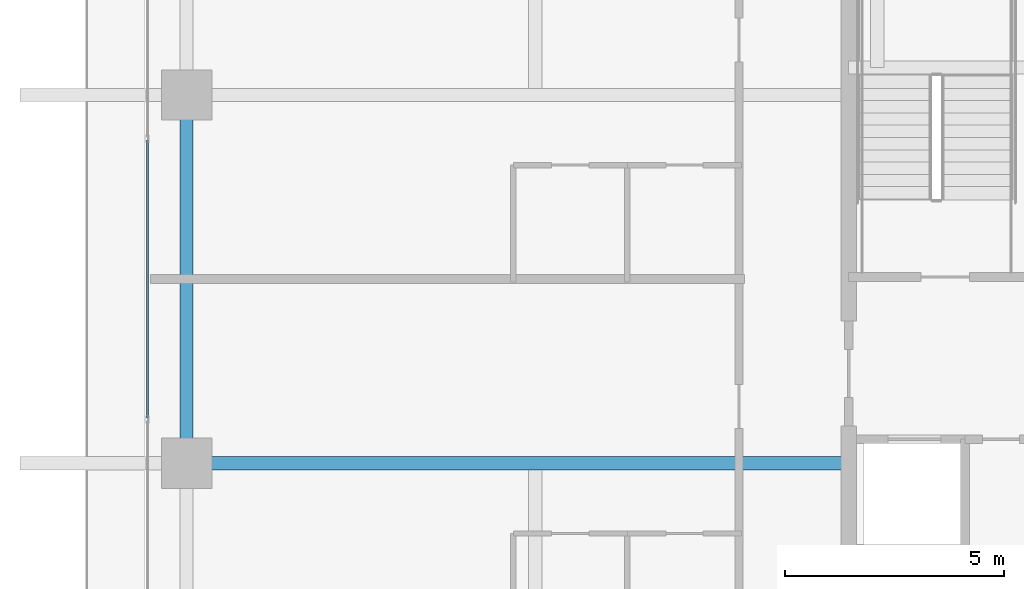
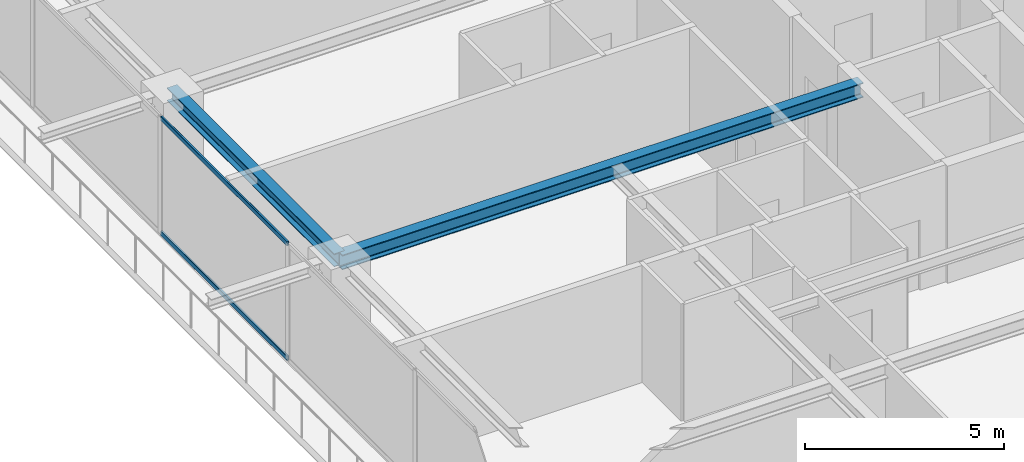
# One storey, part 8 of 38: 2 beams, 2 members, 1 element without a shape of its own.
"""IFC4 building model written with IfcOpenShell, lengths in metres."""

from ifc_helpers import new_model, si_unit, direction, frame, origin, origin_2d, place, context, subcontext, project, spatial, hollow_rectangle, i_section, extrude, source, transform, mapped, material, layer, layer_set, material_profile, profile_set, type_object, element, aggregate, save


model = new_model("IFC4")

# Units and contexts
model_context = context("Model", 3, precision=1e-05, world=origin(), true_north=direction((0.0, 1.0)))
body_context = subcontext(model_context, "Body", "Model", "MODEL_VIEW")
ifc_project = project(units=[si_unit("LENGTHUNIT", "METRE"), si_unit("AREAUNIT", "SQUARE_METRE"), si_unit("VOLUMEUNIT", "CUBIC_METRE"), si_unit("PLANEANGLEUNIT", "RADIAN"), si_unit("MASSUNIT", "GRAM", prefix="KILO")], contexts=[model_context])

# Site, building, storey
site_placement = place(None, origin())
site = spatial("IfcSite", under=ifc_project, at=site_placement, CompositionType="ELEMENT")
building_placement = place(site_placement, origin())
building = spatial("IfcBuilding", under=site, at=building_placement, Name="Serunith Strait Residences", CompositionType="ELEMENT")
storey_placement = place(building_placement, frame((0.0, 0.0, 264.35009765625)))
storey = spatial("IfcBuildingStorey", under=building, at=storey_placement, Name="L66", CompositionType="ELEMENT", Elevation=264.35009765625)

# Beams
ifc_material_1 = material(Name="Steel S355J2", Category="steel")
ifc_material_profile_1 = material_profile(ifc_material_1, i_section(OverallWidth=0.300048828125, OverallDepth=0.449951171875, WebThickness=0.013916015625, FlangeThickness=0.02587890625, FilletRadius=0.027099609375, at=origin_2d()), Name="HEB 450")
ifc_profile_set_1 = profile_set([ifc_material_profile_1], Name="Steel S355J2")
beam_type_1 = type_object("IfcBeamType", Name="BM-HEB450", PredefinedType="BEAM", material=ifc_profile_set_1)
shared_shape_1 = source(origin(), body_context, "Body", "SweptSolid", [
    extrude(i_section(OverallWidth=0.300048828125, OverallDepth=0.449951171875, WebThickness=0.013916015625, FlangeThickness=0.02587890625, FilletRadius=0.027099609375, at=origin_2d()), origin(), (0.0, 0.0, 1.0), 15.099853515625),
])
beam_1_placement = place(storey_placement, frame((23.39990234375, 21.0, 3.36181640625), z_axis=(-1.0, 0.0, 0.0), x_axis=(0.0, -1.0, 0.0)))
element("IfcBeam", 1, at=beam_1_placement, inside=storey, type_object=beam_type_1, Name="L66 Primary Floor Girder TC-W2", PredefinedType="BEAM", context=body_context, shape_type="MappedRepresentation", body=[
    mapped(shared_shape_1, transform((0.0, 0.0, 0.0), scale=1.0)),
])
ifc_material_profile_2 = material_profile(ifc_material_1, i_section(OverallWidth=0.300048828125, OverallDepth=0.39990234375, WebThickness=0.013427734375, FlangeThickness=0.02392578125, FilletRadius=0.027099609375, at=origin_2d()), Name="HEB 400")
ifc_profile_set_2 = profile_set([ifc_material_profile_2], Name="Steel S355J2")
beam_type_2 = type_object("IfcBeamType", Name="BM-HEB400", PredefinedType="BEAM", material=ifc_profile_set_2)
shared_shape_2 = source(origin(), body_context, "Body", "SweptSolid", [
    extrude(i_section(OverallWidth=0.300048828125, OverallDepth=0.39990234375, WebThickness=0.013427734375, FlangeThickness=0.02392578125, FilletRadius=0.027099609375, at=origin_2d()), origin(), (0.0, 0.0, 1.0), 8.39990234375),
])
beam_2_placement = place(storey_placement, frame((8.300048828125, 29.39990234375, 3.386962890625), z_axis=(0.0, -1.0, 0.0), x_axis=(1.0, 0.0, 0.0)))
element("IfcBeam", 2, at=beam_2_placement, inside=storey, type_object=beam_type_2, Name="L66 Perimeter Ring Beam 14", PredefinedType="BEAM", context=body_context, shape_type="MappedRepresentation", body=[
    mapped(shared_shape_2, transform((0.0, 0.0, 0.0), scale=1.0)),
])

# Curtain wall, members
ifc_material_2 = material(Name="Pale-Champagne Anodised Aluminium", Category="aluminium")
ifc_layer = layer(ifc_material_2, 0.199951171875, Name="Pale-Champagne Anodised Aluminium")
ifc_layer_set = layer_set([ifc_layer], Name="Pale-Champagne Anodised Aluminium")
curtain_wall_type = type_object("IfcCurtainWallType", Name="CW-SYS4", PredefinedType="NOTDEFINED", material=ifc_layer_set)
curtain_wall_placement = place(storey_placement, origin())
curtain_wall = element("IfcCurtainWall", 3, at=curtain_wall_placement, inside=storey, type_object=curtain_wall_type, Name="L66 W Unitised Fritted Curtain Wall", PredefinedType="NOTDEFINED")
ifc_material_profile_3 = material_profile(ifc_material_2, hollow_rectangle(XDim=0.06005859375, YDim=0.139892578125, WallThickness=0.00341796875, InnerFilletRadius=0.00537109375, OuterFilletRadius=0.0087890625, at=origin_2d()), Name="ALU 140x60x3.5")
ifc_profile_set_3 = profile_set([ifc_material_profile_3], Name="Pale-Champagne Anodised Aluminium")
member_type = type_object("IfcMemberType", Name="CW-SYS4-TRAN", PredefinedType="USERDEFINED", material=ifc_profile_set_3)
shared_shape_3 = source(origin(), body_context, "Body", "SweptSolid", [
    extrude(hollow_rectangle(XDim=0.06005859375, YDim=0.139892578125, WallThickness=0.00341796875, InnerFilletRadius=0.00537109375, OuterFilletRadius=0.0087890625, at=origin_2d()), origin(), (0.0, 0.0, 1.0), 6.3349609375),
])
member_1_placement = place(storey_placement, frame((7.39990234375, 28.367431640625, 0.02978515625), z_axis=(0.0, -1.0, 0.0), x_axis=(1.0, 0.0, 0.0)))
member_1 = element("IfcMember", 4, at=member_1_placement, type_object=member_type, Name="CW-4 transom 3.1", ObjectType="TRANSOM", PredefinedType="USERDEFINED", context=body_context, shape_type="MappedRepresentation", body=[
    mapped(shared_shape_3, transform((0.0, 0.0, 0.0), scale=1.0)),
])
member_2_placement = place(storey_placement, frame((7.39990234375, 28.367431640625, 3.544921875), z_axis=(0.0, -1.0, 0.0), x_axis=(1.0, 0.0, 0.0)))
member_2 = element("IfcMember", 5, at=member_2_placement, type_object=member_type, Name="CW-4 transom 3.2", ObjectType="TRANSOM", PredefinedType="USERDEFINED", context=body_context, shape_type="MappedRepresentation", body=[
    mapped(shared_shape_3, transform((0.0, 0.0, 0.0), scale=1.0)),
])
aggregate(curtain_wall, [member_1, member_2])

save(model, "model.ifc")
